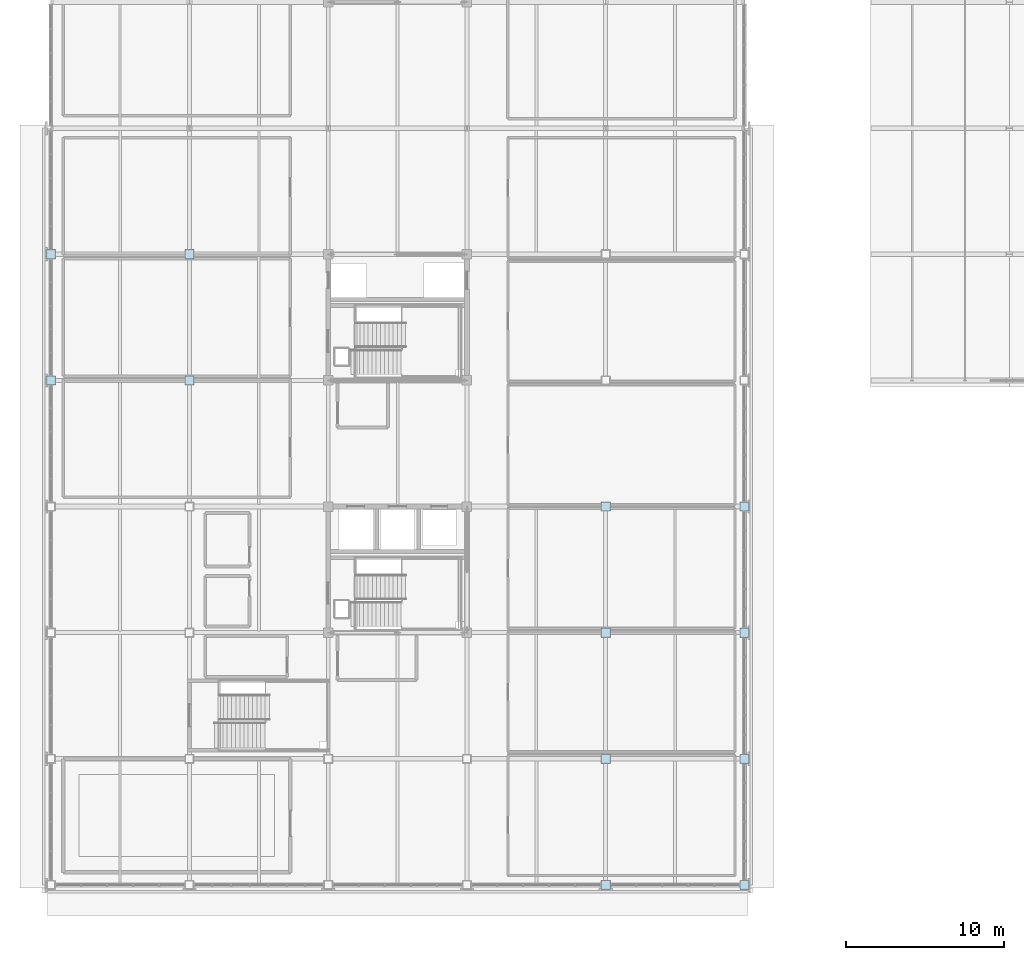
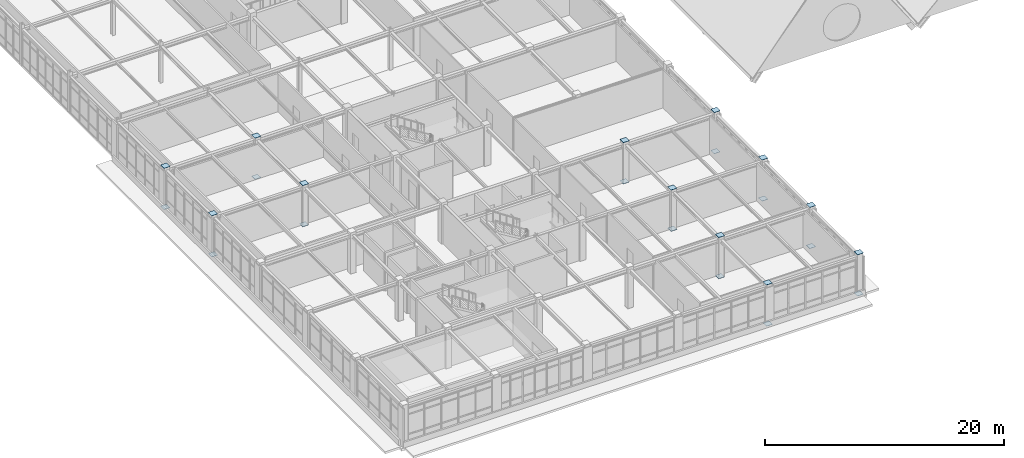
# One storey, part 36 of 64: 24 plates.
"""IFC4 building model written with IfcOpenShell, lengths in metres."""

from ifc_helpers import new_model, si_unit, direction, frame, origin, origin_2d, place, context, subcontext, project, spatial, rectangle, extrude, material, layer, layer_set, type_object, element, save


model = new_model("IFC4")

# Units and contexts
model_context = context("Model", 3, precision=1e-05, world=origin(), true_north=direction((0.0, 1.0)))
body_context = subcontext(model_context, "Body", "Model", "MODEL_VIEW")
ifc_project = project(units=[si_unit("LENGTHUNIT", "METRE"), si_unit("AREAUNIT", "SQUARE_METRE"), si_unit("VOLUMEUNIT", "CUBIC_METRE"), si_unit("PLANEANGLEUNIT", "RADIAN"), si_unit("MASSUNIT", "GRAM", prefix="KILO")], contexts=[model_context])

# Site, building, storey
site_placement = place(None, origin())
site = spatial("IfcSite", under=ifc_project, at=site_placement, CompositionType="ELEMENT")
building_placement = place(site_placement, origin())
building = spatial("IfcBuilding", under=site, at=building_placement, Name="Zhaolan Boulevard Law Courts", CompositionType="ELEMENT")
storey_placement = place(building_placement, frame((0.0, 0.0, 20.39990234375)))
storey = spatial("IfcBuildingStorey", under=building, at=storey_placement, Name="L04", CompositionType="ELEMENT", Elevation=20.39990234375)

# Plates
ifc_material = material(Name="Structural steel Q355B", Category="steel")
ifc_layer = layer(ifc_material, 0.02001953125)
ifc_layer_set = layer_set([ifc_layer])
plate_type = type_object("IfcPlateType", Name="END CAP PLATE 20", PredefinedType="SHEET", material=ifc_layer_set)
for number, where, z_axis, x_axis, name in (
    (1, (0.0, 62.0, -0.017822265625), (0.0, 0.0, 1.0), (1.0, 0.0, 0.0), "Hollow Section End-Cap Plate ECP-0097"),
    (2, (0.0, 62.0, 4.197998046875), (0.0, 0.0, 1.0), (1.0, 0.0, 0.0), "Hollow Section End-Cap Plate ECP-0098"),
    (3, (0.0, 70.0, -0.017822265625), (0.0, 0.0, 1.0), (1.0, 0.0, 0.0), "Hollow Section End-Cap Plate ECP-0119"),
    (4, (0.0, 70.0, 4.197998046875), (0.0, 0.0, 1.0), (1.0, 0.0, 0.0), "Hollow Section End-Cap Plate ECP-0120"),
    (5, (8.800048828125, 62.0, -0.017822265625), (0.0, 0.0, 1.0), (1.0, 0.0, 0.0), "Hollow Section End-Cap Plate ECP-0231"),
    (6, (8.800048828125, 62.0, 4.197998046875), (0.0, 0.0, 1.0), (1.0, 0.0, 0.0), "Hollow Section End-Cap Plate ECP-0232"),
    (7, (8.800048828125, 70.0, -0.017822265625), (0.0, 0.0, 1.0), (1.0, 0.0, 0.0), "Hollow Section End-Cap Plate ECP-0253"),
    (8, (8.800048828125, 70.0, 4.197998046875), (0.0, 0.0, 1.0), (1.0, 0.0, 0.0), "Hollow Section End-Cap Plate ECP-0254"),
    (9, (35.199951171875, 30.0, -0.017822265625), (0.0, 0.0, 1.0), (1.0, 0.0, 0.0), "Hollow Section End-Cap Plate ECP-0367"),
    (10, (35.199951171875, 30.0, 4.197998046875), (0.0, 0.0, 1.0), (1.0, 0.0, 0.0), "Hollow Section End-Cap Plate ECP-0368"),
    (11, (35.199951171875, 38.0, -0.017822265625), (0.0, 0.0, 1.0), (1.0, 0.0, 0.0), "Hollow Section End-Cap Plate ECP-0387"),
    (12, (35.199951171875, 38.0, 4.197998046875), (0.0, 0.0, 1.0), (1.0, 0.0, 0.0), "Hollow Section End-Cap Plate ECP-0388"),
    (13, (35.199951171875, 46.0, -0.017822265625), (0.0, 0.0, 1.0), (1.0, 0.0, 0.0), "Hollow Section End-Cap Plate ECP-0409"),
    (14, (35.199951171875, 46.0, 4.197998046875), (0.0, 0.0, 1.0), (1.0, 0.0, 0.0), "Hollow Section End-Cap Plate ECP-0410"),
    (15, (35.199951171875, 54.0, -0.017822265625), (0.0, 0.0, 1.0), (1.0, 0.0, 0.0), "Hollow Section End-Cap Plate ECP-0431"),
    (16, (35.199951171875, 54.0, 4.197998046875), (0.0, 0.0, 1.0), (1.0, 0.0, 0.0), "Hollow Section End-Cap Plate ECP-0432"),
    (17, (44.0, 30.0, -0.017822265625), (0.0, 0.0, 1.0), (1.0, 0.0, 0.0), "Hollow Section End-Cap Plate ECP-0497"),
    (18, (44.0, 30.0, 4.197998046875), (0.0, 0.0, 1.0), (1.0, 0.0, 0.0), "Hollow Section End-Cap Plate ECP-0498"),
    (19, (44.0, 38.0, -0.017822265625), (0.0, 0.0, 1.0), (1.0, 0.0, 0.0), "Hollow Section End-Cap Plate ECP-0515"),
    (20, (44.0, 38.0, 4.197998046875), (0.0, 0.0, 1.0), (1.0, 0.0, 0.0), "Hollow Section End-Cap Plate ECP-0516"),
    (21, (44.0, 46.0, -0.017822265625), (0.0, 0.0, 1.0), (1.0, 0.0, 0.0), "Hollow Section End-Cap Plate ECP-0533"),
    (22, (44.0, 46.0, 4.197998046875), (0.0, 0.0, 1.0), (1.0, 0.0, 0.0), "Hollow Section End-Cap Plate ECP-0534"),
    (23, (44.0, 54.0, -0.017822265625), (0.0, 0.0, 1.0), (1.0, 0.0, 0.0), "Hollow Section End-Cap Plate ECP-0551"),
    (24, (44.0, 54.0, 4.197998046875), (0.0, 0.0, 1.0), (1.0, 0.0, 0.0), "Hollow Section End-Cap Plate ECP-0552"),
):
    element("IfcPlate", number, at=place(storey_placement, frame(where, z_axis=z_axis, x_axis=x_axis)), inside=storey, type_object=plate_type, Name=name, PredefinedType="SHEET", context=body_context, shape_type="SweptSolid", body=[
        extrude(rectangle(XDim=0.580078125, YDim=0.580078125, at=origin_2d()), origin(), (0.0, 0.0, 1.0), 0.02001953125),
    ])

save(model, "model.ifc")
